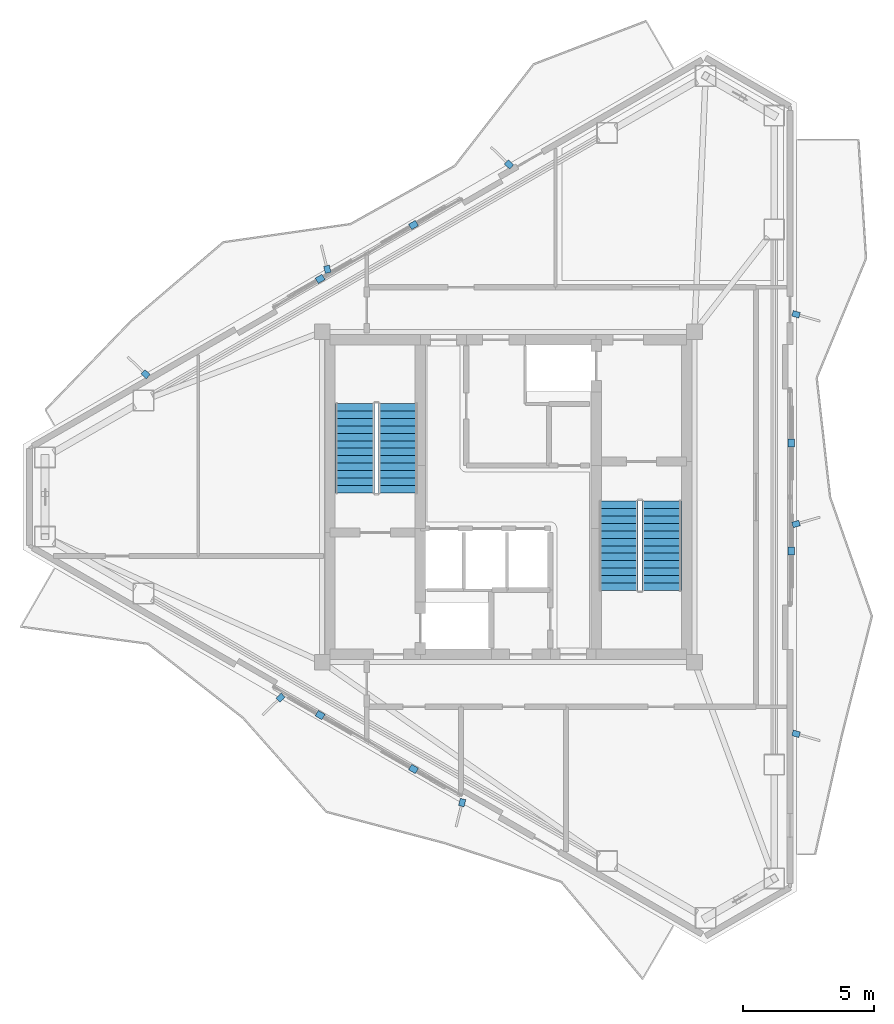
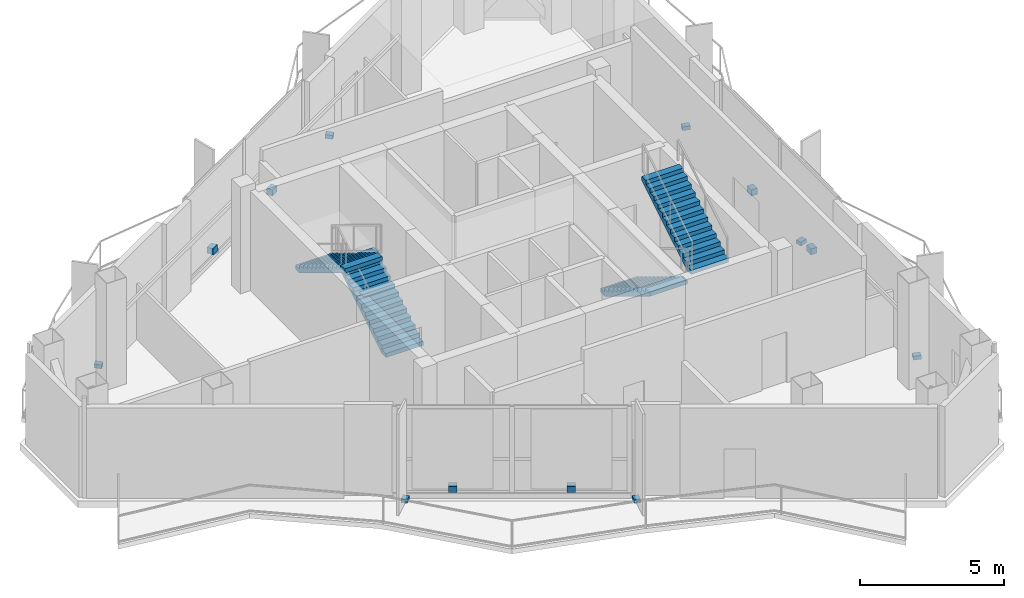
# One storey, part 12 of 14: 14 discrete accessories, 4 stair flights, 2 elements without a shape of their own.
"""IFC4 building model written with IfcOpenShell, lengths in metres."""

from ifc_helpers import new_model, si_unit, direction, frame, origin, origin_2d, place, context, subcontext, project, spatial, polyline, rectangle, outline, extrude, material, layer, layer_set, type_object, element, aggregate, save


model = new_model("IFC4")

# Units and contexts
model_context = context("Model", 3, precision=1e-05, world=origin(), true_north=direction((0.0, 1.0)))
body_context = subcontext(model_context, "Body", "Model", "MODEL_VIEW")
ifc_project = project(units=[si_unit("LENGTHUNIT", "METRE"), si_unit("AREAUNIT", "SQUARE_METRE"), si_unit("VOLUMEUNIT", "CUBIC_METRE"), si_unit("PLANEANGLEUNIT", "RADIAN"), si_unit("MASSUNIT", "GRAM", prefix="KILO")], contexts=[model_context])

# Site, building, storey
site_placement = place(None, origin())
site = spatial("IfcSite", under=ifc_project, at=site_placement, CompositionType="ELEMENT")
building_placement = place(site_placement, origin())
building = spatial("IfcBuilding", under=site, at=building_placement, Name="Mersakhor Tower and Convention Hall", CompositionType="ELEMENT")
storey_placement = place(building_placement, frame((0.0, 0.0, 249.60009765625)))
storey = spatial("IfcBuildingStorey", under=building, at=storey_placement, Name="L70", CompositionType="ELEMENT", Elevation=249.60009765625)

# Stair, stair flights
ifc_material_1 = material(Name="Concrete C45/55", Category="concrete")
stair_type = type_object("IfcStairType", Name="ST-TWR-26R", PredefinedType="HALF_TURN_STAIR", material=ifc_material_1)
stair_1_placement = place(storey_placement, origin())
stair_1 = element("IfcStair", 1, at=stair_1_placement, inside=storey, type_object=stair_type, Name="L70 Tower Protected Exit Stair ST-1", PredefinedType="HALF_TURN_STAIR")
ifc_material_2 = material(Name="Concrete C45/55", Category="concrete")
stair_flight_type = type_object("IfcStairFlightType", Name="SFL-TWR-26R", PredefinedType="STRAIGHT", material=ifc_material_2)
stair_flight_1_placement = place(storey_placement, frame((24.800048828125, 26.89990234375, 0.0), z_axis=(0.0, 0.0, 1.0), x_axis=(0.0, 1.0, 0.0)))
stair_flight_1 = element("IfcStairFlight", 2, at=stair_flight_1_placement, type_object=stair_flight_type, Name="ST-1 flight 1", NumberOfRisers=13, NumberOfTreads=12, PredefinedType="STRAIGHT", RiserHeight=0.173076923, TreadLength=0.285, context=body_context, shape_type="SweptSolid", body=[
    extrude(outline(polyline([(0.0, 0.0), (0.0, 0.173095703125), (0.284912109375, 0.173095703125), (0.284912109375, 0.34619140625), (0.570068359375, 0.34619140625), (0.570068359375, 0.519287109375), (0.85498046875, 0.519287109375), (0.85498046875, 0.6923828125), (1.139892578125, 0.6923828125), (1.139892578125, 0.865478515625), (1.425048828125, 0.865478515625), (1.425048828125, 1.03857421875), (1.7099609375, 1.03857421875), (1.7099609375, 1.21142578125), (1.9951171875, 1.21142578125), (1.9951171875, 1.384521484375), (2.280029296875, 1.384521484375), (2.280029296875, 1.5576171875), (2.56494140625, 1.5576171875), (2.56494140625, 1.730712890625), (2.85009765625, 1.730712890625), (2.85009765625, 1.90380859375), (3.135009765625, 1.90380859375), (3.135009765625, 2.076904296875), (3.419921875, 2.076904296875), (3.419921875, 2.25), (3.419921875, 1.901611328125), (0.288818359375, 0.0), (0.0, 0.0)])), frame((0.0, 0.75, 0.0), z_axis=(0.0, -1.0, 0.0), x_axis=(1.0, 0.0, 0.0)), (0.0, 0.0, 1.0), 1.5),
])
stair_flight_2_placement = place(storey_placement, frame((23.14990234375, 30.320068359375, 2.25), z_axis=(0.0, 0.0, 1.0), x_axis=(0.0, -1.0, 0.0)))
stair_flight_2 = element("IfcStairFlight", 3, at=stair_flight_2_placement, type_object=stair_flight_type, Name="ST-1 flight 2", NumberOfRisers=13, NumberOfTreads=12, PredefinedType="STRAIGHT", RiserHeight=0.173076923, TreadLength=0.285, context=body_context, shape_type="SweptSolid", body=[
    extrude(outline(polyline([(0.0, 0.0), (0.0, 0.173095703125), (0.284912109375, 0.173095703125), (0.284912109375, 0.34619140625), (0.570068359375, 0.34619140625), (0.570068359375, 0.519287109375), (0.85498046875, 0.519287109375), (0.85498046875, 0.6923828125), (1.139892578125, 0.6923828125), (1.139892578125, 0.865478515625), (1.425048828125, 0.865478515625), (1.425048828125, 1.03857421875), (1.7099609375, 1.03857421875), (1.7099609375, 1.21142578125), (1.9951171875, 1.21142578125), (1.9951171875, 1.384521484375), (2.280029296875, 1.384521484375), (2.280029296875, 1.5576171875), (2.56494140625, 1.5576171875), (2.56494140625, 1.730712890625), (2.85009765625, 1.730712890625), (2.85009765625, 1.90380859375), (3.135009765625, 1.90380859375), (3.135009765625, 2.076904296875), (3.419921875, 2.076904296875), (3.419921875, 2.25), (3.419921875, 1.901611328125), (0.288818359375, 0.0), (0.0, 0.0)])), frame((0.0, 0.75, 0.0), z_axis=(0.0, -1.0, 0.0), x_axis=(1.0, 0.0, 0.0)), (0.0, 0.0, 1.0), 1.5),
])
aggregate(stair_1, [stair_flight_1, stair_flight_2])

stair_2_placement = place(storey_placement, origin())
stair_2 = element("IfcStair", 4, at=stair_2_placement, inside=storey, type_object=stair_type, Name="L70 Tower Protected Exit Stair ST-2", PredefinedType="HALF_TURN_STAIR")
stair_flight_3_placement = place(storey_placement, frame((33.199951171875, 26.60009765625, 0.0), z_axis=(0.0, 0.0, 1.0), x_axis=(0.0, -1.0, 0.0)))
stair_flight_3 = element("IfcStairFlight", 5, at=stair_flight_3_placement, type_object=stair_flight_type, Name="ST-2 flight 1", NumberOfRisers=13, NumberOfTreads=12, PredefinedType="STRAIGHT", RiserHeight=0.173076923, TreadLength=0.285, context=body_context, shape_type="SweptSolid", body=[
    extrude(outline(polyline([(0.0, 0.0), (0.0, 0.173095703125), (0.284912109375, 0.173095703125), (0.284912109375, 0.34619140625), (0.570068359375, 0.34619140625), (0.570068359375, 0.519287109375), (0.85498046875, 0.519287109375), (0.85498046875, 0.6923828125), (1.139892578125, 0.6923828125), (1.139892578125, 0.865478515625), (1.425048828125, 0.865478515625), (1.425048828125, 1.03857421875), (1.7099609375, 1.03857421875), (1.7099609375, 1.21142578125), (1.9951171875, 1.21142578125), (1.9951171875, 1.384521484375), (2.280029296875, 1.384521484375), (2.280029296875, 1.5576171875), (2.56494140625, 1.5576171875), (2.56494140625, 1.730712890625), (2.85009765625, 1.730712890625), (2.85009765625, 1.90380859375), (3.135009765625, 1.90380859375), (3.135009765625, 2.076904296875), (3.419921875, 2.076904296875), (3.419921875, 2.25), (3.419921875, 1.901611328125), (0.288818359375, 0.0), (0.0, 0.0)])), frame((0.0, 0.75, 0.0), z_axis=(0.0, -1.0, 0.0), x_axis=(1.0, 0.0, 0.0)), (0.0, 0.0, 1.0), 1.5),
])
stair_flight_4_placement = place(storey_placement, frame((34.85009765625, 23.179931640625, 2.25), z_axis=(0.0, 0.0, 1.0), x_axis=(0.0, 1.0, 0.0)))
stair_flight_4 = element("IfcStairFlight", 6, at=stair_flight_4_placement, type_object=stair_flight_type, Name="ST-2 flight 2", NumberOfRisers=13, NumberOfTreads=12, PredefinedType="STRAIGHT", RiserHeight=0.173076923, TreadLength=0.285, context=body_context, shape_type="SweptSolid", body=[
    extrude(outline(polyline([(0.0, 0.0), (0.0, 0.173095703125), (0.284912109375, 0.173095703125), (0.284912109375, 0.34619140625), (0.570068359375, 0.34619140625), (0.570068359375, 0.519287109375), (0.85498046875, 0.519287109375), (0.85498046875, 0.6923828125), (1.139892578125, 0.6923828125), (1.139892578125, 0.865478515625), (1.425048828125, 0.865478515625), (1.425048828125, 1.03857421875), (1.7099609375, 1.03857421875), (1.7099609375, 1.21142578125), (1.9951171875, 1.21142578125), (1.9951171875, 1.384521484375), (2.280029296875, 1.384521484375), (2.280029296875, 1.5576171875), (2.56494140625, 1.5576171875), (2.56494140625, 1.730712890625), (2.85009765625, 1.730712890625), (2.85009765625, 1.90380859375), (3.135009765625, 1.90380859375), (3.135009765625, 2.076904296875), (3.419921875, 2.076904296875), (3.419921875, 2.25), (3.419921875, 1.901611328125), (0.288818359375, 0.0), (0.0, 0.0)])), frame((0.0, 0.75, 0.0), z_axis=(0.0, -1.0, 0.0), x_axis=(1.0, 0.0, 0.0)), (0.0, 0.0, 1.0), 1.5),
])
aggregate(stair_2, [stair_flight_3, stair_flight_4])

# Discrete accessories
ifc_material_3 = material(Name="Galvanised steel bracket", Category="steel")
ifc_layer = layer(ifc_material_3, 0.02001953125)
ifc_layer_set = layer_set([ifc_layer], Name="Galvanised steel bracket")
discrete_accessory_type = type_object("IfcDiscreteAccessoryType", Name="ACC-BRK-STL", PredefinedType="BRACKET", material=ifc_layer_set)
for number, where, z_axis, x_axis, name in (
    (7, (21.822265625, 35.068359375, 0.2900390625), (0.0, 0.0, 1.0), (0.866025403784, 0.5, 0.0), "L70 Solar Screen Outrigger Bracket BRK-1-1"),
    (8, (25.385009765625, 37.125244140625, 0.2900390625), (0.0, 0.0, 1.0), (0.866025403784, 0.5, 0.0), "L70 Solar Screen Outrigger Bracket BRK-1-2"),
):
    element("IfcDiscreteAccessory", number, at=place(storey_placement, frame(where, z_axis=z_axis, x_axis=x_axis)), inside=storey, type_object=discrete_accessory_type, Name=name, PredefinedType="BRACKET", context=body_context, shape_type="SweptSolid", body=[
        extrude(rectangle(XDim=0.300048828125, YDim=0.239990234375, at=origin_2d()), origin(), (0.0, 0.0, 1.0), 0.260009765625),
    ])
for number, where, z_axis, x_axis, name in (
    (9, (15.16845703125, 31.434814453125, -0.02001953125), (0.0, 0.0, 1.0), (-0.719339800339, 0.694658370459, 0.0), "L70 Facade Fin Base Cleat Bracket FBRK-1-1"),
    (10, (22.0966796875, 35.434814453125, -0.02001953125), (0.0, 0.0, 1.0), (-0.2419218956, 0.970295726276, 0.0), "L70 Facade Fin Base Cleat Bracket FBRK-1-2"),
    (11, (29.02490234375, 39.434814453125, -0.02001953125), (0.0, 0.0, 1.0), (-0.719339800339, 0.694658370459, 0.0), "L70 Facade Fin Base Cleat Bracket FBRK-1-3"),
):
    element("IfcDiscreteAccessory", number, at=place(storey_placement, frame(where, z_axis=z_axis, x_axis=x_axis)), inside=storey, type_object=discrete_accessory_type, Name=name, PredefinedType="BRACKET", context=body_context, shape_type="SweptSolid", body=[
        extrude(rectangle(XDim=0.280029296875, YDim=0.219970703125, at=origin_2d()), origin(), (0.0, 0.0, 1.0), 0.159912109375),
    ])
for number, where, z_axis, x_axis, name in (
    (12, (39.792724609375, 28.806884765625, 0.2900390625), (0.0, 0.0, 1.0), (0.0, -1.0, 0.0), "L70 Solar Screen Outrigger Bracket BRK-2-1"),
    (13, (39.792724609375, 24.693115234375, 0.2900390625), (0.0, 0.0, 1.0), (0.0, -1.0, 0.0), "L70 Solar Screen Outrigger Bracket BRK-2-2"),
):
    element("IfcDiscreteAccessory", number, at=place(storey_placement, frame(where, z_axis=z_axis, x_axis=x_axis)), inside=storey, type_object=discrete_accessory_type, Name=name, PredefinedType="BRACKET", context=body_context, shape_type="SweptSolid", body=[
        extrude(rectangle(XDim=0.300048828125, YDim=0.239990234375, at=origin_2d()), origin(), (0.0, 0.0, 1.0), 0.260009765625),
    ])
for number, where, z_axis, x_axis, name in (
    (14, (39.972900390625, 33.719482421875, -0.02001953125), (0.0, 0.0, 1.0), (0.961261695938, -0.275637355817, 0.0), "L70 Facade Fin Base Cleat Bracket FBRK-2-1"),
    (15, (39.972900390625, 25.719482421875, -0.02001953125), (0.0, 0.0, 1.0), (0.961261695938, 0.275637355817, 0.0), "L70 Facade Fin Base Cleat Bracket FBRK-2-2"),
    (16, (39.972900390625, 17.719482421875, -0.02001953125), (0.0, 0.0, 1.0), (0.961261695938, -0.275637355817, 0.0), "L70 Facade Fin Base Cleat Bracket FBRK-2-3"),
):
    element("IfcDiscreteAccessory", number, at=place(storey_placement, frame(where, z_axis=z_axis, x_axis=x_axis)), inside=storey, type_object=discrete_accessory_type, Name=name, PredefinedType="BRACKET", context=body_context, shape_type="SweptSolid", body=[
        extrude(rectangle(XDim=0.280029296875, YDim=0.219970703125, at=origin_2d()), origin(), (0.0, 0.0, 1.0), 0.159912109375),
    ])
for number, where, z_axis, x_axis, name in (
    (17, (25.385009765625, 16.374755859375, 0.2900390625), (0.0, 0.0, 1.0), (-0.866025403784, 0.5, 0.0), "L70 Solar Screen Outrigger Bracket BRK-3-1"),
    (18, (21.822265625, 18.431640625, 0.2900390625), (0.0, 0.0, 1.0), (-0.866025403784, 0.5, 0.0), "L70 Solar Screen Outrigger Bracket BRK-3-2"),
):
    element("IfcDiscreteAccessory", number, at=place(storey_placement, frame(where, z_axis=z_axis, x_axis=x_axis)), inside=storey, type_object=discrete_accessory_type, Name=name, PredefinedType="BRACKET", context=body_context, shape_type="SweptSolid", body=[
        extrude(rectangle(XDim=0.300048828125, YDim=0.239990234375, at=origin_2d()), origin(), (0.0, 0.0, 1.0), 0.260009765625),
    ])
for number, where, z_axis, x_axis, name in (
    (19, (27.239990234375, 15.095947265625, -0.02001953125), (0.0, 0.0, 1.0), (-0.2419218956, -0.970295726276, 0.0), "L70 Facade Fin Base Cleat Bracket FBRK-3-1"),
    (20, (20.311767578125, 19.095947265625, -0.02001953125), (0.0, 0.0, 1.0), (-0.719339800339, -0.694658370459, 0.0), "L70 Facade Fin Base Cleat Bracket FBRK-3-2"),
):
    element("IfcDiscreteAccessory", number, at=place(storey_placement, frame(where, z_axis=z_axis, x_axis=x_axis)), inside=storey, type_object=discrete_accessory_type, Name=name, PredefinedType="BRACKET", context=body_context, shape_type="SweptSolid", body=[
        extrude(rectangle(XDim=0.280029296875, YDim=0.219970703125, at=origin_2d()), origin(), (0.0, 0.0, 1.0), 0.159912109375),
    ])

save(model, "model.ifc")
